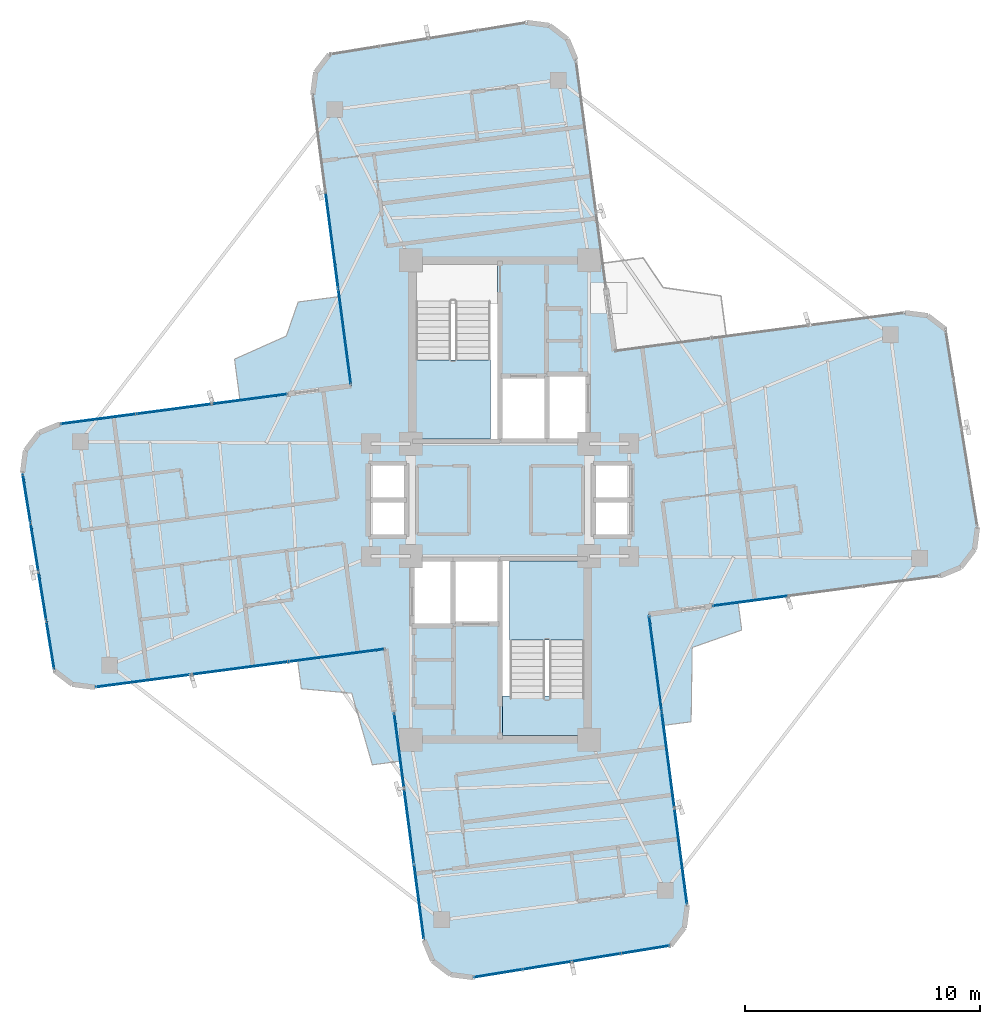
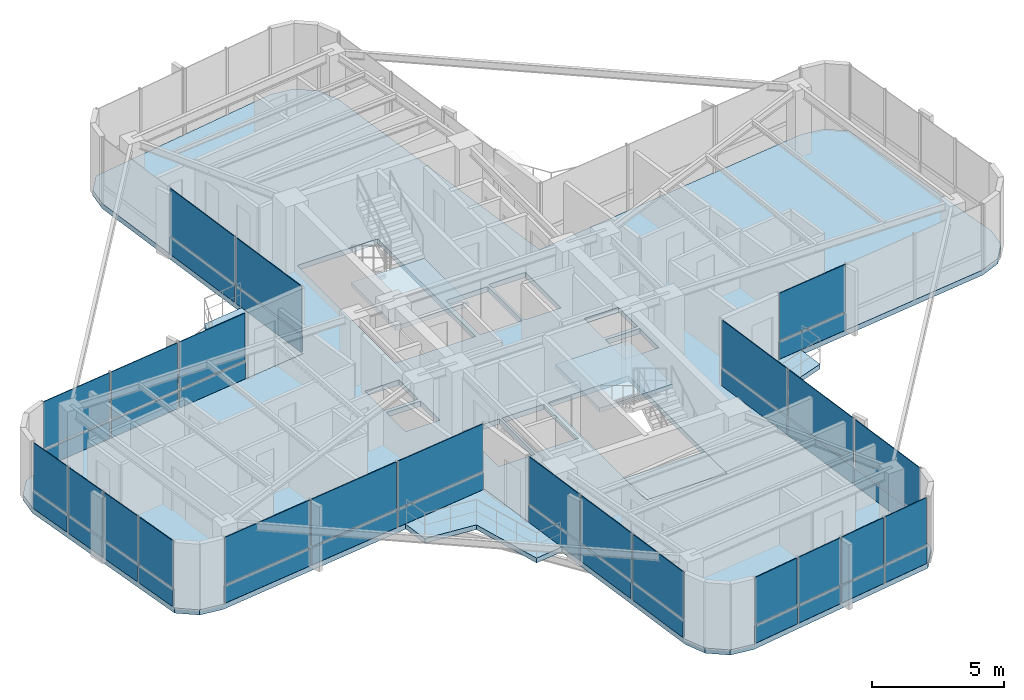
# One storey, part 16 of 21: 46 plates, 7 slabs, 10 elements without a shape of their own.
"""IFC4 building model written with IfcOpenShell, lengths in metres."""

from ifc_helpers import new_model, si_unit, direction, frame, origin, origin_2d, place, context, subcontext, project, spatial, polyline, rectangle, outline, extrude, source, transform, mapped, material, layer, layer_set, type_object, element, aggregate, save


model = new_model("IFC4")

# Units and contexts
model_context = context("Model", 3, precision=1e-05, world=origin(), true_north=direction((0.0, 1.0)))
body_context = subcontext(model_context, "Body", "Model", "MODEL_VIEW")
ifc_project = project(units=[si_unit("LENGTHUNIT", "METRE"), si_unit("AREAUNIT", "SQUARE_METRE"), si_unit("VOLUMEUNIT", "CUBIC_METRE"), si_unit("PLANEANGLEUNIT", "RADIAN"), si_unit("MASSUNIT", "GRAM", prefix="KILO")], contexts=[model_context])

# Site, building, storey
site_placement = place(None, origin())
site = spatial("IfcSite", under=ifc_project, at=site_placement, CompositionType="ELEMENT")
building_placement = place(site_placement, origin())
building = spatial("IfcBuilding", under=site, at=building_placement, Name="Sahyath Konkavel Grand Hotel", CompositionType="ELEMENT")
storey_placement = place(building_placement, frame((0.0, 0.0, 209.85009765625)))
storey = spatial("IfcBuildingStorey", under=building, at=storey_placement, Name="L58", CompositionType="ELEMENT", Elevation=209.85009765625)

# Slabs
ifc_material_1 = material(Name="Concrete C40/50", Category="concrete")
ifc_layer_1 = layer(ifc_material_1, 0.239990234375)
ifc_layer_set_1 = layer_set([ifc_layer_1], Name="Concrete C40/50")
slab_type_1 = type_object("IfcSlabType", Name="SLB-240", PredefinedType="FLOOR", material=ifc_layer_set_1)
slab_1_placement = place(storey_placement, frame((0.0, 0.0, -0.239990234375)))
element("IfcSlab", 1, at=slab_1_placement, inside=storey, type_object=slab_type_1, Name="L58 Structural Floor Slab", PredefinedType="FLOOR", context=body_context, shape_type="SweptSolid", body=[
    extrude(outline(polyline([(6.339111328125, -4.8642578125), (18.732177734375, -3.232666015625), (19.616943359375, -2.8662109375), (20.199951171875, -2.1064453125), (20.324951171875, -1.156982421875), (18.96630859375, 7.2626953125), (18.206787109375, 7.845703125), (17.25732421875, 7.970703125), (4.8642578125, 6.339111328125), (3.232666015625, 18.732177734375), (2.8662109375, 19.616943359375), (2.1064453125, 20.199951171875), (1.156982421875, 20.324951171875), (-7.2626953125, 18.96630859375), (-7.845703125, 18.206787109375), (-7.970703125, 17.25732421875), (-6.339111328125, 4.8642578125), (-18.732177734375, 3.232666015625), (-19.616943359375, 2.8662109375), (-20.199951171875, 2.1064453125), (-20.324951171875, 1.156982421875), (-18.96630859375, -7.2626953125), (-18.206787109375, -7.845703125), (-17.25732421875, -7.970703125), (-4.8642578125, -6.339111328125), (-3.232666015625, -18.732177734375), (-2.8662109375, -19.616943359375), (-2.1064453125, -20.199951171875), (-1.156982421875, -20.324951171875), (7.2626953125, -18.96630859375), (7.845703125, -18.206787109375), (7.970703125, -17.25732421875), (6.339111328125, -4.8642578125)]), holes=[polyline([(-3.6201171875, 2.580078125), (-0.10009765625, 2.580078125), (-0.10009765625, 10.02001953125), (-3.6201171875, 10.02001953125), (-3.6201171875, 2.580078125)]), polyline([(0.10009765625, -10.02001953125), (3.6201171875, -10.02001953125), (3.6201171875, -2.580078125), (0.10009765625, -2.580078125), (0.10009765625, -10.02001953125)]), polyline([(0.10009765625, 2.60009765625), (1.949951171875, 2.60009765625), (1.949951171875, 5.199951171875), (0.10009765625, 5.199951171875), (0.10009765625, 2.60009765625)]), polyline([(-1.949951171875, -5.199951171875), (-0.10009765625, -5.199951171875), (-0.10009765625, -2.60009765625), (-1.949951171875, -2.60009765625), (-1.949951171875, -5.199951171875)]), polyline([(2.050048828125, 2.60009765625), (3.64990234375, 2.60009765625), (3.64990234375, 5.300048828125), (2.050048828125, 5.300048828125), (2.050048828125, 2.60009765625)]), polyline([(-3.64990234375, -5.300048828125), (-2.050048828125, -5.300048828125), (-2.050048828125, -2.60009765625), (-3.64990234375, -2.60009765625), (-3.64990234375, -5.300048828125)]), polyline([(4.050048828125, 0.080078125), (5.550048828125, 0.080078125), (5.550048828125, 1.5400390625), (4.050048828125, 1.5400390625), (4.050048828125, 0.080078125)]), polyline([(4.050048828125, -1.5400390625), (5.550048828125, -1.5400390625), (5.550048828125, -0.080078125), (4.050048828125, -0.080078125), (4.050048828125, -1.5400390625)]), polyline([(-5.550048828125, 0.080078125), (-4.050048828125, 0.080078125), (-4.050048828125, 1.5400390625), (-5.550048828125, 1.5400390625), (-5.550048828125, 0.080078125)]), polyline([(-5.550048828125, -1.5400390625), (-4.050048828125, -1.5400390625), (-4.050048828125, -0.080078125), (-5.550048828125, -0.080078125), (-5.550048828125, -1.5400390625)])]), origin(), (0.0, 0.0, 1.0), 0.239990234375),
])
ifc_layer_2 = layer(ifc_material_1, 0.219970703125)
ifc_layer_set_2 = layer_set([ifc_layer_2], Name="Concrete C40/50")
slab_type_2 = type_object("IfcSlabType", Name="SLB-BALCONY-220", PredefinedType="FLOOR", material=ifc_layer_set_2)
slab_2_placement = place(storey_placement, frame((0.0, 0.0, -0.22021484375)))
element("IfcSlab", 2, at=slab_2_placement, inside=storey, type_object=slab_type_2, Name="L58 Winter-Garden Balcony NW", PredefinedType="FLOOR", context=body_context, shape_type="SweptSolid", body=[
    extrude(outline(polyline([(-6.339111328125, 4.8642578125), (-6.8388671875, 8.660400390625), (-8.5927734375, 8.429443359375), (-9.095703125, 6.9794921875), (-11.30029296875, 5.995361328125), (-11.0693359375, 4.241455078125), (-6.339111328125, 4.8642578125)])), origin(), (0.0, 0.0, 1.0), 0.22021484375),
])
slab_3_placement = place(storey_placement, frame((0.0, 0.0, -0.22021484375)))
element("IfcSlab", 3, at=slab_3_placement, inside=storey, type_object=slab_type_2, Name="L58 Winter-Garden Balcony SW", PredefinedType="FLOOR", context=body_context, shape_type="SweptSolid", body=[
    extrude(outline(polyline([(-4.8642578125, -6.339111328125), (-8.61376953125, -6.832763671875), (-8.4560546875, -8.031982421875), (-6.310546875, -8.22412109375), (-5.4345703125, -11.273681640625), (-4.2353515625, -11.115966796875), (-4.8642578125, -6.339111328125)])), origin(), (0.0, 0.0, 1.0), 0.22021484375),
])
slab_4_placement = place(storey_placement, frame((0.0, 0.0, -0.22021484375)))
element("IfcSlab", 4, at=slab_4_placement, inside=storey, type_object=slab_type_2, Name="L58 Winter-Garden Balcony SE", PredefinedType="FLOOR", context=body_context, shape_type="SweptSolid", body=[
    extrude(outline(polyline([(6.339111328125, -4.8642578125), (6.9619140625, -9.594482421875), (8.134765625, -9.43994140625), (8.1826171875, -6.27880859375), (10.289794921875, -5.537109375), (10.135498046875, -4.364501953125), (6.339111328125, -4.8642578125)])), origin(), (0.0, 0.0, 1.0), 0.22021484375),
])

# Stair, slab
stair_type = type_object("IfcStairType", Name="STR-ST16-335", PredefinedType="HALF_TURN_STAIR", material=ifc_material_1)
stair_1_placement = place(storey_placement, origin())
stair_1 = element("IfcStair", 5, at=stair_1_placement, inside=storey, type_object=stair_type, Name="L58 North Core Smokeproof Exit Stair ST-1", PredefinedType="HALF_TURN_STAIR")
ifc_layer_3 = layer(ifc_material_1, 0.199951171875)
ifc_layer_set_3 = layer_set([ifc_layer_3], Name="Concrete C40/50")
slab_type_3 = type_object("IfcSlabType", Name="SLB-STAIR-LND", PredefinedType="LANDING", material=ifc_layer_set_3)
slab_5_placement = place(storey_placement, frame((0.0, 0.0, 1.474853515625)))
slab_5 = element("IfcSlab", 6, at=slab_5_placement, type_object=slab_type_3, Name="ST-1 landing 1", PredefinedType="LANDING", context=body_context, shape_type="SweptSolid", body=[
    extrude(outline(polyline([(-3.60009765625, 5.9599609375), (-3.60009765625, 2.60009765625), (-0.39990234375, 2.60009765625), (-0.39990234375, 5.9599609375), (-3.60009765625, 5.9599609375)])), origin(), (0.0, 0.0, 1.0), 0.199951171875),
])
aggregate(stair_1, [slab_5])

stair_2_placement = place(storey_placement, origin())
stair_2 = element("IfcStair", 7, at=stair_2_placement, inside=storey, type_object=stair_type, Name="L58 South Core Smokeproof Exit Stair ST-2", PredefinedType="HALF_TURN_STAIR")
slab_6_placement = place(storey_placement, frame((0.0, 0.0, 1.474853515625)))
slab_6 = element("IfcSlab", 8, at=slab_6_placement, type_object=slab_type_3, Name="ST-2 landing 1", PredefinedType="LANDING", context=body_context, shape_type="SweptSolid", body=[
    extrude(outline(polyline([(3.60009765625, -5.9599609375), (3.60009765625, -2.60009765625), (0.39990234375, -2.60009765625), (0.39990234375, -5.9599609375), (3.60009765625, -5.9599609375)])), origin(), (0.0, 0.0, 1.0), 0.199951171875),
])
aggregate(stair_2, [slab_6])

# Slab
slab_7_placement = place(storey_placement, frame((0.0, 0.0, -0.2001953125)))
element("IfcSlab", 9, at=slab_7_placement, inside=storey, type_object=slab_type_3, Name="L58 Stair ST-2 Floor Landing Slab", PredefinedType="LANDING", context=body_context, shape_type="SweptSolid", body=[
    extrude(outline(polyline([(0.10009765625, -10.02001953125), (3.6201171875, -10.02001953125), (3.6201171875, -8.35009765625), (0.10009765625, -8.35009765625), (0.10009765625, -10.02001953125)])), origin(), (0.0, 0.0, 1.0), 0.2001953125),
])

# Curtain wall, plate
ifc_material_2 = material(Name="Anodised Bronze Aluminium & Low-E Glazing", Category="aluminium")
curtain_wall_type = type_object("IfcCurtainWallType", Name="CW-ZONE4", PredefinedType="NOTDEFINED", material=ifc_material_2)
curtain_wall_1_placement = place(storey_placement, origin())
curtain_wall_1 = element("IfcCurtainWall", 10, at=curtain_wall_1_placement, inside=storey, type_object=curtain_wall_type, Name="L58 Unitised Curtain Wall F0", PredefinedType="NOTDEFINED")
ifc_material_3 = material(Name="Warm Buff Sandstone Cladding", Category="masonry")
ifc_layer_4 = layer(ifc_material_3, 0.074951171875)
ifc_layer_set_4 = layer_set([ifc_layer_4], Name="Warm Buff Sandstone Cladding")
plate_type_1 = type_object("IfcPlateType", Name="PNL-SPANDREL-STONE", PredefinedType="SHEET", material=ifc_layer_set_4)
shared_shape_1 = source(origin(), body_context, "Body", "SweptSolid", [
    extrude(rectangle(XDim=3.159912109375, YDim=0.074951171875, at=origin_2d()), origin(), (0.0, 0.0, 1.0), 0.77001953125),
])
plate_1_placement = place(storey_placement, frame((10.661865234375, -4.295166015625, 0.039794921875), z_axis=(0.0, 0.0, 1.0), x_axis=(0.991444861374, 0.13052619222, 0.0)))
plate_1 = element("IfcPlate", 11, at=plate_1_placement, type_object=plate_type_1, Name="L58 Sandstone Relief Spandrel Panel F0-0", PredefinedType="SHEET", context=body_context, shape_type="MappedRepresentation", body=[
    mapped(shared_shape_1, transform((0.0, 0.0, 0.0), scale=1.0)),
])

# Curtain wall, plates
curtain_wall_2_placement = place(storey_placement, origin())
curtain_wall_2 = element("IfcCurtainWall", 12, at=curtain_wall_2_placement, inside=storey, type_object=curtain_wall_type, Name="L58 Unitised Curtain Wall F16", PredefinedType="NOTDEFINED")
plate_2_placement = place(storey_placement, frame((-10.661865234375, 4.295166015625, 0.039794921875), z_axis=(0.0, 0.0, 1.0), x_axis=(-0.991444861374, -0.13052619222, 0.0)))
plate_2 = element("IfcPlate", 13, at=plate_2_placement, type_object=plate_type_1, Name="L58 Sandstone Relief Spandrel Panel F16-0", PredefinedType="SHEET", context=body_context, shape_type="MappedRepresentation", body=[
    mapped(shared_shape_1, transform((0.0, 0.0, 0.0), scale=1.0)),
])
plate_3_placement = place(storey_placement, frame((-13.8740234375, 3.872314453125, 0.039794921875), z_axis=(0.0, 0.0, 1.0), x_axis=(-0.991444861374, -0.13052619222, 0.0)))
plate_3 = element("IfcPlate", 14, at=plate_3_placement, type_object=plate_type_1, Name="L58 Sandstone Relief Spandrel Panel F16-1", PredefinedType="SHEET", context=body_context, shape_type="MappedRepresentation", body=[
    mapped(shared_shape_1, transform((0.0, 0.0, 0.0), scale=1.0)),
])
plate_4_placement = place(storey_placement, frame((-17.086181640625, 3.44921875, 0.039794921875), z_axis=(0.0, 0.0, 1.0), x_axis=(-0.991444861374, -0.13052619222, 0.0)))
plate_4 = element("IfcPlate", 15, at=plate_4_placement, type_object=plate_type_1, Name="L58 Sandstone Relief Spandrel Panel F16-2", PredefinedType="SHEET", context=body_context, shape_type="MappedRepresentation", body=[
    mapped(shared_shape_1, transform((0.0, 0.0, 0.0), scale=1.0)),
])

curtain_wall_3_placement = place(storey_placement, origin())
curtain_wall_3 = element("IfcCurtainWall", 16, at=curtain_wall_3_placement, inside=storey, type_object=curtain_wall_type, Name="L58 Unitised Curtain Wall F24", PredefinedType="NOTDEFINED")
plate_5_placement = place(storey_placement, frame((-4.295166015625, -10.661865234375, 0.039794921875), z_axis=(0.0, 0.0, 1.0), x_axis=(0.13052619222, -0.991444861374, 0.0)))
plate_5 = element("IfcPlate", 17, at=plate_5_placement, type_object=plate_type_1, Name="L58 Sandstone Relief Spandrel Panel F24-0", PredefinedType="SHEET", context=body_context, shape_type="MappedRepresentation", body=[
    mapped(shared_shape_1, transform((0.0, 0.0, 0.0), scale=1.0)),
])
plate_6_placement = place(storey_placement, frame((-3.872314453125, -13.8740234375, 0.039794921875), z_axis=(0.0, 0.0, 1.0), x_axis=(0.13052619222, -0.991444861374, 0.0)))
plate_6 = element("IfcPlate", 18, at=plate_6_placement, type_object=plate_type_1, Name="L58 Sandstone Relief Spandrel Panel F24-1", PredefinedType="SHEET", context=body_context, shape_type="MappedRepresentation", body=[
    mapped(shared_shape_1, transform((0.0, 0.0, 0.0), scale=1.0)),
])
plate_7_placement = place(storey_placement, frame((-3.44921875, -17.086181640625, 0.039794921875), z_axis=(0.0, 0.0, 1.0), x_axis=(0.13052619222, -0.991444861374, 0.0)))
plate_7 = element("IfcPlate", 19, at=plate_7_placement, type_object=plate_type_1, Name="L58 Sandstone Relief Spandrel Panel F24-2", PredefinedType="SHEET", context=body_context, shape_type="MappedRepresentation", body=[
    mapped(shared_shape_1, transform((0.0, 0.0, 0.0), scale=1.0)),
])

# Plate
ifc_material_4 = material(Name="Low-E Solar Control Double Glazing", Category="glass")
ifc_layer_5 = layer(ifc_material_4, 0.035888671875)
ifc_layer_set_5 = layer_set([ifc_layer_5], Name="Low-E Solar Control Double Glazing")
plate_type_2 = type_object("IfcPlateType", Name="PNL-VISION-LOWE", PredefinedType="CURTAIN_PANEL", material=ifc_layer_set_5)
shared_shape_2 = source(origin(), body_context, "Body", "SweptSolid", [
    extrude(rectangle(XDim=3.159912109375, YDim=0.035888671875, at=origin_2d()), origin(), (0.0, 0.0, 1.0), 2.179931640625),
])
plate_8_placement = place(storey_placement, frame((10.661865234375, -4.295166015625, 0.89013671875), z_axis=(0.0, 0.0, 1.0), x_axis=(0.991444861374, 0.13052619222, 0.0)))
plate_8 = element("IfcPlate", 20, at=plate_8_placement, type_object=plate_type_2, Name="L58 Low-E Vision Glazing Panel F0-0", PredefinedType="CURTAIN_PANEL", context=body_context, shape_type="MappedRepresentation", body=[
    mapped(shared_shape_2, transform((0.0, 0.0, 0.0), scale=1.0)),
])

aggregate(curtain_wall_1, [plate_1, plate_8])

plate_9_placement = place(storey_placement, frame((-10.661865234375, 4.295166015625, 0.89013671875), z_axis=(0.0, 0.0, 1.0), x_axis=(-0.991444861374, -0.13052619222, 0.0)))
plate_9 = element("IfcPlate", 21, at=plate_9_placement, type_object=plate_type_2, Name="L58 Low-E Vision Glazing Panel F16-0", PredefinedType="CURTAIN_PANEL", context=body_context, shape_type="MappedRepresentation", body=[
    mapped(shared_shape_2, transform((0.0, 0.0, 0.0), scale=1.0)),
])

plate_10_placement = place(storey_placement, frame((-13.8740234375, 3.872314453125, 0.89013671875), z_axis=(0.0, 0.0, 1.0), x_axis=(-0.991444861374, -0.13052619222, 0.0)))
plate_10 = element("IfcPlate", 22, at=plate_10_placement, type_object=plate_type_2, Name="L58 Low-E Vision Glazing Panel F16-1", PredefinedType="CURTAIN_PANEL", context=body_context, shape_type="MappedRepresentation", body=[
    mapped(shared_shape_2, transform((0.0, 0.0, 0.0), scale=1.0)),
])

plate_11_placement = place(storey_placement, frame((-17.086181640625, 3.44921875, 0.89013671875), z_axis=(0.0, 0.0, 1.0), x_axis=(-0.991444861374, -0.13052619222, 0.0)))
plate_11 = element("IfcPlate", 23, at=plate_11_placement, type_object=plate_type_2, Name="L58 Low-E Vision Glazing Panel F16-2", PredefinedType="CURTAIN_PANEL", context=body_context, shape_type="MappedRepresentation", body=[
    mapped(shared_shape_2, transform((0.0, 0.0, 0.0), scale=1.0)),
])

aggregate(curtain_wall_2, [plate_2, plate_9, plate_3, plate_10, plate_4, plate_11])

plate_12_placement = place(storey_placement, frame((-4.295166015625, -10.661865234375, 0.89013671875), z_axis=(0.0, 0.0, 1.0), x_axis=(0.13052619222, -0.991444861374, 0.0)))
plate_12 = element("IfcPlate", 24, at=plate_12_placement, type_object=plate_type_2, Name="L58 Low-E Vision Glazing Panel F24-0", PredefinedType="CURTAIN_PANEL", context=body_context, shape_type="MappedRepresentation", body=[
    mapped(shared_shape_2, transform((0.0, 0.0, 0.0), scale=1.0)),
])

plate_13_placement = place(storey_placement, frame((-3.872314453125, -13.8740234375, 0.89013671875), z_axis=(0.0, 0.0, 1.0), x_axis=(0.13052619222, -0.991444861374, 0.0)))
plate_13 = element("IfcPlate", 25, at=plate_13_placement, type_object=plate_type_2, Name="L58 Low-E Vision Glazing Panel F24-1", PredefinedType="CURTAIN_PANEL", context=body_context, shape_type="MappedRepresentation", body=[
    mapped(shared_shape_2, transform((0.0, 0.0, 0.0), scale=1.0)),
])

plate_14_placement = place(storey_placement, frame((-3.44921875, -17.086181640625, 0.89013671875), z_axis=(0.0, 0.0, 1.0), x_axis=(0.13052619222, -0.991444861374, 0.0)))
plate_14 = element("IfcPlate", 26, at=plate_14_placement, type_object=plate_type_2, Name="L58 Low-E Vision Glazing Panel F24-2", PredefinedType="CURTAIN_PANEL", context=body_context, shape_type="MappedRepresentation", body=[
    mapped(shared_shape_2, transform((0.0, 0.0, 0.0), scale=1.0)),
])

aggregate(curtain_wall_3, [plate_5, plate_12, plate_6, plate_13, plate_7, plate_14])

# Curtain wall, plates
curtain_wall_4_placement = place(storey_placement, origin())
curtain_wall_4 = element("IfcCurtainWall", 27, at=curtain_wall_4_placement, inside=storey, type_object=curtain_wall_type, Name="L58 Unitised Curtain Wall F20", PredefinedType="NOTDEFINED")
shared_shape_3 = source(origin(), body_context, "Body", "SweptSolid", [
    extrude(rectangle(XDim=2.031982421875, YDim=0.074951171875, at=origin_2d()), origin(), (0.0, 0.0, 1.0), 0.77001953125),
])
plate_15_placement = place(storey_placement, frame((-20.150390625, 0.074951171875, 0.039794921875), z_axis=(0.0, 0.0, 1.0), x_axis=(0.159295381124, -0.98723096667, 0.0)))
plate_15 = element("IfcPlate", 28, at=plate_15_placement, type_object=plate_type_1, Name="L58 Sandstone Relief Spandrel Panel F20-0", PredefinedType="SHEET", context=body_context, shape_type="MappedRepresentation", body=[
    mapped(shared_shape_3, transform((0.0, 0.0, 0.0), scale=1.0)),
])
plate_16_placement = place(storey_placement, frame((-19.81396484375, -2.01025390625, 0.039794921875), z_axis=(0.0, 0.0, 1.0), x_axis=(0.159295381124, -0.98723096667, 0.0)))
plate_16 = element("IfcPlate", 29, at=plate_16_placement, type_object=plate_type_1, Name="L58 Sandstone Relief Spandrel Panel F20-1", PredefinedType="SHEET", context=body_context, shape_type="MappedRepresentation", body=[
    mapped(shared_shape_3, transform((0.0, 0.0, 0.0), scale=1.0)),
])
plate_17_placement = place(storey_placement, frame((-19.477294921875, -4.095458984375, 0.039794921875), z_axis=(0.0, 0.0, 1.0), x_axis=(0.159295381124, -0.98723096667, 0.0)))
plate_17 = element("IfcPlate", 30, at=plate_17_placement, type_object=plate_type_1, Name="L58 Sandstone Relief Spandrel Panel F20-2", PredefinedType="SHEET", context=body_context, shape_type="MappedRepresentation", body=[
    mapped(shared_shape_3, transform((0.0, 0.0, 0.0), scale=1.0)),
])
plate_18_placement = place(storey_placement, frame((-19.14111328125, -6.1806640625, 0.039794921875), z_axis=(0.0, 0.0, 1.0), x_axis=(0.159295381124, -0.98723096667, 0.0)))
plate_18 = element("IfcPlate", 31, at=plate_18_placement, type_object=plate_type_1, Name="L58 Sandstone Relief Spandrel Panel F20-3", PredefinedType="SHEET", context=body_context, shape_type="MappedRepresentation", body=[
    mapped(shared_shape_3, transform((0.0, 0.0, 0.0), scale=1.0)),
])

curtain_wall_5_placement = place(storey_placement, origin())
curtain_wall_5 = element("IfcCurtainWall", 32, at=curtain_wall_5_placement, inside=storey, type_object=curtain_wall_type, Name="L58 Unitised Curtain Wall F28", PredefinedType="NOTDEFINED")
plate_19_placement = place(storey_placement, frame((-0.074951171875, -20.150390625, 0.039794921875), z_axis=(0.0, 0.0, 1.0), x_axis=(0.98723096667, 0.159295381124, 0.0)))
plate_19 = element("IfcPlate", 33, at=plate_19_placement, type_object=plate_type_1, Name="L58 Sandstone Relief Spandrel Panel F28-0", PredefinedType="SHEET", context=body_context, shape_type="MappedRepresentation", body=[
    mapped(shared_shape_3, transform((0.0, 0.0, 0.0), scale=1.0)),
])
plate_20_placement = place(storey_placement, frame((2.01025390625, -19.81396484375, 0.039794921875), z_axis=(0.0, 0.0, 1.0), x_axis=(0.98723096667, 0.159295381124, 0.0)))
plate_20 = element("IfcPlate", 34, at=plate_20_placement, type_object=plate_type_1, Name="L58 Sandstone Relief Spandrel Panel F28-1", PredefinedType="SHEET", context=body_context, shape_type="MappedRepresentation", body=[
    mapped(shared_shape_3, transform((0.0, 0.0, 0.0), scale=1.0)),
])
plate_21_placement = place(storey_placement, frame((4.095458984375, -19.477294921875, 0.039794921875), z_axis=(0.0, 0.0, 1.0), x_axis=(0.98723096667, 0.159295381124, 0.0)))
plate_21 = element("IfcPlate", 35, at=plate_21_placement, type_object=plate_type_1, Name="L58 Sandstone Relief Spandrel Panel F28-2", PredefinedType="SHEET", context=body_context, shape_type="MappedRepresentation", body=[
    mapped(shared_shape_3, transform((0.0, 0.0, 0.0), scale=1.0)),
])
plate_22_placement = place(storey_placement, frame((6.1806640625, -19.14111328125, 0.039794921875), z_axis=(0.0, 0.0, 1.0), x_axis=(0.98723096667, 0.159295381124, 0.0)))
plate_22 = element("IfcPlate", 36, at=plate_22_placement, type_object=plate_type_1, Name="L58 Sandstone Relief Spandrel Panel F28-3", PredefinedType="SHEET", context=body_context, shape_type="MappedRepresentation", body=[
    mapped(shared_shape_3, transform((0.0, 0.0, 0.0), scale=1.0)),
])

# Plate
shared_shape_4 = source(origin(), body_context, "Body", "SweptSolid", [
    extrude(rectangle(XDim=2.031982421875, YDim=0.035888671875, at=origin_2d()), origin(), (0.0, 0.0, 1.0), 2.179931640625),
])
plate_23_placement = place(storey_placement, frame((-20.150390625, 0.074951171875, 0.89013671875), z_axis=(0.0, 0.0, 1.0), x_axis=(0.159295381124, -0.98723096667, 0.0)))
plate_23 = element("IfcPlate", 37, at=plate_23_placement, type_object=plate_type_2, Name="L58 Low-E Vision Glazing Panel F20-0", PredefinedType="CURTAIN_PANEL", context=body_context, shape_type="MappedRepresentation", body=[
    mapped(shared_shape_4, transform((0.0, 0.0, 0.0), scale=1.0)),
])

plate_24_placement = place(storey_placement, frame((-19.81396484375, -2.01025390625, 0.89013671875), z_axis=(0.0, 0.0, 1.0), x_axis=(0.159295381124, -0.98723096667, 0.0)))
plate_24 = element("IfcPlate", 38, at=plate_24_placement, type_object=plate_type_2, Name="L58 Low-E Vision Glazing Panel F20-1", PredefinedType="CURTAIN_PANEL", context=body_context, shape_type="MappedRepresentation", body=[
    mapped(shared_shape_4, transform((0.0, 0.0, 0.0), scale=1.0)),
])

plate_25_placement = place(storey_placement, frame((-19.477294921875, -4.095458984375, 0.89013671875), z_axis=(0.0, 0.0, 1.0), x_axis=(0.159295381124, -0.98723096667, 0.0)))
plate_25 = element("IfcPlate", 39, at=plate_25_placement, type_object=plate_type_2, Name="L58 Low-E Vision Glazing Panel F20-2", PredefinedType="CURTAIN_PANEL", context=body_context, shape_type="MappedRepresentation", body=[
    mapped(shared_shape_4, transform((0.0, 0.0, 0.0), scale=1.0)),
])

plate_26_placement = place(storey_placement, frame((-19.14111328125, -6.1806640625, 0.89013671875), z_axis=(0.0, 0.0, 1.0), x_axis=(0.159295381124, -0.98723096667, 0.0)))
plate_26 = element("IfcPlate", 40, at=plate_26_placement, type_object=plate_type_2, Name="L58 Low-E Vision Glazing Panel F20-3", PredefinedType="CURTAIN_PANEL", context=body_context, shape_type="MappedRepresentation", body=[
    mapped(shared_shape_4, transform((0.0, 0.0, 0.0), scale=1.0)),
])

aggregate(curtain_wall_4, [plate_15, plate_23, plate_16, plate_24, plate_17, plate_25, plate_18, plate_26])

plate_27_placement = place(storey_placement, frame((-0.074951171875, -20.150390625, 0.89013671875), z_axis=(0.0, 0.0, 1.0), x_axis=(0.98723096667, 0.159295381124, 0.0)))
plate_27 = element("IfcPlate", 41, at=plate_27_placement, type_object=plate_type_2, Name="L58 Low-E Vision Glazing Panel F28-0", PredefinedType="CURTAIN_PANEL", context=body_context, shape_type="MappedRepresentation", body=[
    mapped(shared_shape_4, transform((0.0, 0.0, 0.0), scale=1.0)),
])

plate_28_placement = place(storey_placement, frame((2.01025390625, -19.81396484375, 0.89013671875), z_axis=(0.0, 0.0, 1.0), x_axis=(0.98723096667, 0.159295381124, 0.0)))
plate_28 = element("IfcPlate", 42, at=plate_28_placement, type_object=plate_type_2, Name="L58 Low-E Vision Glazing Panel F28-1", PredefinedType="CURTAIN_PANEL", context=body_context, shape_type="MappedRepresentation", body=[
    mapped(shared_shape_4, transform((0.0, 0.0, 0.0), scale=1.0)),
])

plate_29_placement = place(storey_placement, frame((4.095458984375, -19.477294921875, 0.89013671875), z_axis=(0.0, 0.0, 1.0), x_axis=(0.98723096667, 0.159295381124, 0.0)))
plate_29 = element("IfcPlate", 43, at=plate_29_placement, type_object=plate_type_2, Name="L58 Low-E Vision Glazing Panel F28-2", PredefinedType="CURTAIN_PANEL", context=body_context, shape_type="MappedRepresentation", body=[
    mapped(shared_shape_4, transform((0.0, 0.0, 0.0), scale=1.0)),
])

plate_30_placement = place(storey_placement, frame((6.1806640625, -19.14111328125, 0.89013671875), z_axis=(0.0, 0.0, 1.0), x_axis=(0.98723096667, 0.159295381124, 0.0)))
plate_30 = element("IfcPlate", 44, at=plate_30_placement, type_object=plate_type_2, Name="L58 Low-E Vision Glazing Panel F28-3", PredefinedType="CURTAIN_PANEL", context=body_context, shape_type="MappedRepresentation", body=[
    mapped(shared_shape_4, transform((0.0, 0.0, 0.0), scale=1.0)),
])

aggregate(curtain_wall_5, [plate_19, plate_27, plate_20, plate_28, plate_21, plate_29, plate_22, plate_30])

# Curtain wall, plates
curtain_wall_6_placement = place(storey_placement, origin())
curtain_wall_6 = element("IfcCurtainWall", 45, at=curtain_wall_6_placement, inside=storey, type_object=curtain_wall_type, Name="L58 Unitised Curtain Wall F15", PredefinedType="NOTDEFINED")
shared_shape_5 = source(origin(), body_context, "Body", "SweptSolid", [
    extrude(rectangle(XDim=4.06005859375, YDim=0.074951171875, at=origin_2d()), origin(), (0.0, 0.0, 1.0), 0.77001953125),
])
plate_31_placement = place(storey_placement, frame((-7.15478515625, 11.060791015625, 0.039794921875), z_axis=(0.0, 0.0, 1.0), x_axis=(0.13052619222, -0.991444861374, 0.0)))
plate_31 = element("IfcPlate", 46, at=plate_31_placement, type_object=plate_type_1, Name="L58 Sandstone Relief Spandrel Panel F15-1", PredefinedType="SHEET", context=body_context, shape_type="MappedRepresentation", body=[
    mapped(shared_shape_5, transform((0.0, 0.0, 0.0), scale=1.0)),
])
plate_32_placement = place(storey_placement, frame((-6.614501953125, 6.956298828125, 0.039794921875), z_axis=(0.0, 0.0, 1.0), x_axis=(0.13052619222, -0.991444861374, 0.0)))
plate_32 = element("IfcPlate", 47, at=plate_32_placement, type_object=plate_type_1, Name="L58 Sandstone Relief Spandrel Panel F15-2", PredefinedType="SHEET", context=body_context, shape_type="MappedRepresentation", body=[
    mapped(shared_shape_5, transform((0.0, 0.0, 0.0), scale=1.0)),
])

curtain_wall_7_placement = place(storey_placement, origin())
curtain_wall_7 = element("IfcCurtainWall", 48, at=curtain_wall_7_placement, inside=storey, type_object=curtain_wall_type, Name="L58 Unitised Curtain Wall F23", PredefinedType="NOTDEFINED")
plate_33_placement = place(storey_placement, frame((-15.165283203125, -7.6953125, 0.039794921875), z_axis=(0.0, 0.0, 1.0), x_axis=(0.991444861374, 0.13052619222, 0.0)))
plate_33 = element("IfcPlate", 49, at=plate_33_placement, type_object=plate_type_1, Name="L58 Sandstone Relief Spandrel Panel F23-0", PredefinedType="SHEET", context=body_context, shape_type="MappedRepresentation", body=[
    mapped(shared_shape_5, transform((0.0, 0.0, 0.0), scale=1.0)),
])
plate_34_placement = place(storey_placement, frame((-11.060791015625, -7.15478515625, 0.039794921875), z_axis=(0.0, 0.0, 1.0), x_axis=(0.991444861374, 0.13052619222, 0.0)))
plate_34 = element("IfcPlate", 50, at=plate_34_placement, type_object=plate_type_1, Name="L58 Sandstone Relief Spandrel Panel F23-1", PredefinedType="SHEET", context=body_context, shape_type="MappedRepresentation", body=[
    mapped(shared_shape_5, transform((0.0, 0.0, 0.0), scale=1.0)),
])
plate_35_placement = place(storey_placement, frame((-6.956298828125, -6.614501953125, 0.039794921875), z_axis=(0.0, 0.0, 1.0), x_axis=(0.991444861374, 0.13052619222, 0.0)))
plate_35 = element("IfcPlate", 51, at=plate_35_placement, type_object=plate_type_1, Name="L58 Sandstone Relief Spandrel Panel F23-2", PredefinedType="SHEET", context=body_context, shape_type="MappedRepresentation", body=[
    mapped(shared_shape_5, transform((0.0, 0.0, 0.0), scale=1.0)),
])

curtain_wall_8_placement = place(storey_placement, origin())
curtain_wall_8 = element("IfcCurtainWall", 52, at=curtain_wall_8_placement, inside=storey, type_object=curtain_wall_type, Name="L58 Unitised Curtain Wall F31", PredefinedType="NOTDEFINED")
plate_36_placement = place(storey_placement, frame((7.6953125, -15.165283203125, 0.039794921875), z_axis=(0.0, 0.0, 1.0), x_axis=(-0.13052619222, 0.991444861374, 0.0)))
plate_36 = element("IfcPlate", 53, at=plate_36_placement, type_object=plate_type_1, Name="L58 Sandstone Relief Spandrel Panel F31-0", PredefinedType="SHEET", context=body_context, shape_type="MappedRepresentation", body=[
    mapped(shared_shape_5, transform((0.0, 0.0, 0.0), scale=1.0)),
])
plate_37_placement = place(storey_placement, frame((7.15478515625, -11.060791015625, 0.039794921875), z_axis=(0.0, 0.0, 1.0), x_axis=(-0.13052619222, 0.991444861374, 0.0)))
plate_37 = element("IfcPlate", 54, at=plate_37_placement, type_object=plate_type_1, Name="L58 Sandstone Relief Spandrel Panel F31-1", PredefinedType="SHEET", context=body_context, shape_type="MappedRepresentation", body=[
    mapped(shared_shape_5, transform((0.0, 0.0, 0.0), scale=1.0)),
])
plate_38_placement = place(storey_placement, frame((6.614501953125, -6.956298828125, 0.039794921875), z_axis=(0.0, 0.0, 1.0), x_axis=(-0.13052619222, 0.991444861374, 0.0)))
plate_38 = element("IfcPlate", 55, at=plate_38_placement, type_object=plate_type_1, Name="L58 Sandstone Relief Spandrel Panel F31-2", PredefinedType="SHEET", context=body_context, shape_type="MappedRepresentation", body=[
    mapped(shared_shape_5, transform((0.0, 0.0, 0.0), scale=1.0)),
])

# Plate
shared_shape_6 = source(origin(), body_context, "Body", "SweptSolid", [
    extrude(rectangle(XDim=4.06005859375, YDim=0.035888671875, at=origin_2d()), origin(), (0.0, 0.0, 1.0), 2.179931640625),
])
plate_39_placement = place(storey_placement, frame((-7.15478515625, 11.060791015625, 0.89013671875), z_axis=(0.0, 0.0, 1.0), x_axis=(0.13052619222, -0.991444861374, 0.0)))
plate_39 = element("IfcPlate", 56, at=plate_39_placement, type_object=plate_type_2, Name="L58 Low-E Vision Glazing Panel F15-1", PredefinedType="CURTAIN_PANEL", context=body_context, shape_type="MappedRepresentation", body=[
    mapped(shared_shape_6, transform((0.0, 0.0, 0.0), scale=1.0)),
])

plate_40_placement = place(storey_placement, frame((-6.614501953125, 6.956298828125, 0.89013671875), z_axis=(0.0, 0.0, 1.0), x_axis=(0.13052619222, -0.991444861374, 0.0)))
plate_40 = element("IfcPlate", 57, at=plate_40_placement, type_object=plate_type_2, Name="L58 Low-E Vision Glazing Panel F15-2", PredefinedType="CURTAIN_PANEL", context=body_context, shape_type="MappedRepresentation", body=[
    mapped(shared_shape_6, transform((0.0, 0.0, 0.0), scale=1.0)),
])

aggregate(curtain_wall_6, [plate_31, plate_39, plate_32, plate_40])

plate_41_placement = place(storey_placement, frame((-15.165283203125, -7.6953125, 0.89013671875), z_axis=(0.0, 0.0, 1.0), x_axis=(0.991444861374, 0.13052619222, 0.0)))
plate_41 = element("IfcPlate", 58, at=plate_41_placement, type_object=plate_type_2, Name="L58 Low-E Vision Glazing Panel F23-0", PredefinedType="CURTAIN_PANEL", context=body_context, shape_type="MappedRepresentation", body=[
    mapped(shared_shape_6, transform((0.0, 0.0, 0.0), scale=1.0)),
])

plate_42_placement = place(storey_placement, frame((-11.060791015625, -7.15478515625, 0.89013671875), z_axis=(0.0, 0.0, 1.0), x_axis=(0.991444861374, 0.13052619222, 0.0)))
plate_42 = element("IfcPlate", 59, at=plate_42_placement, type_object=plate_type_2, Name="L58 Low-E Vision Glazing Panel F23-1", PredefinedType="CURTAIN_PANEL", context=body_context, shape_type="MappedRepresentation", body=[
    mapped(shared_shape_6, transform((0.0, 0.0, 0.0), scale=1.0)),
])

plate_43_placement = place(storey_placement, frame((-6.956298828125, -6.614501953125, 0.89013671875), z_axis=(0.0, 0.0, 1.0), x_axis=(0.991444861374, 0.13052619222, 0.0)))
plate_43 = element("IfcPlate", 60, at=plate_43_placement, type_object=plate_type_2, Name="L58 Low-E Vision Glazing Panel F23-2", PredefinedType="CURTAIN_PANEL", context=body_context, shape_type="MappedRepresentation", body=[
    mapped(shared_shape_6, transform((0.0, 0.0, 0.0), scale=1.0)),
])

aggregate(curtain_wall_7, [plate_33, plate_41, plate_34, plate_42, plate_35, plate_43])

plate_44_placement = place(storey_placement, frame((7.6953125, -15.165283203125, 0.89013671875), z_axis=(0.0, 0.0, 1.0), x_axis=(-0.13052619222, 0.991444861374, 0.0)))
plate_44 = element("IfcPlate", 61, at=plate_44_placement, type_object=plate_type_2, Name="L58 Low-E Vision Glazing Panel F31-0", PredefinedType="CURTAIN_PANEL", context=body_context, shape_type="MappedRepresentation", body=[
    mapped(shared_shape_6, transform((0.0, 0.0, 0.0), scale=1.0)),
])

plate_45_placement = place(storey_placement, frame((7.15478515625, -11.060791015625, 0.89013671875), z_axis=(0.0, 0.0, 1.0), x_axis=(-0.13052619222, 0.991444861374, 0.0)))
plate_45 = element("IfcPlate", 62, at=plate_45_placement, type_object=plate_type_2, Name="L58 Low-E Vision Glazing Panel F31-1", PredefinedType="CURTAIN_PANEL", context=body_context, shape_type="MappedRepresentation", body=[
    mapped(shared_shape_6, transform((0.0, 0.0, 0.0), scale=1.0)),
])

plate_46_placement = place(storey_placement, frame((6.614501953125, -6.956298828125, 0.89013671875), z_axis=(0.0, 0.0, 1.0), x_axis=(-0.13052619222, 0.991444861374, 0.0)))
plate_46 = element("IfcPlate", 63, at=plate_46_placement, type_object=plate_type_2, Name="L58 Low-E Vision Glazing Panel F31-2", PredefinedType="CURTAIN_PANEL", context=body_context, shape_type="MappedRepresentation", body=[
    mapped(shared_shape_6, transform((0.0, 0.0, 0.0), scale=1.0)),
])

aggregate(curtain_wall_8, [plate_36, plate_44, plate_37, plate_45, plate_38, plate_46])

save(model, "model.ifc")
